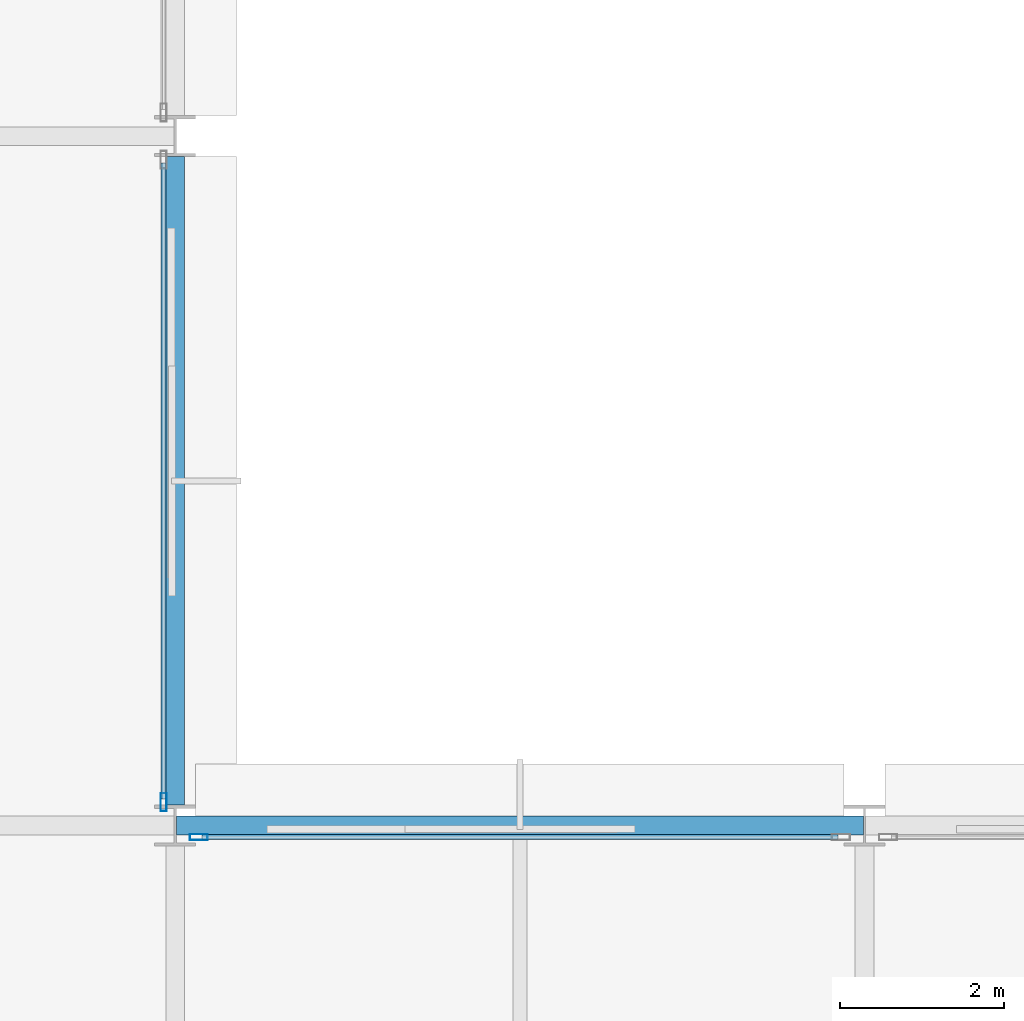
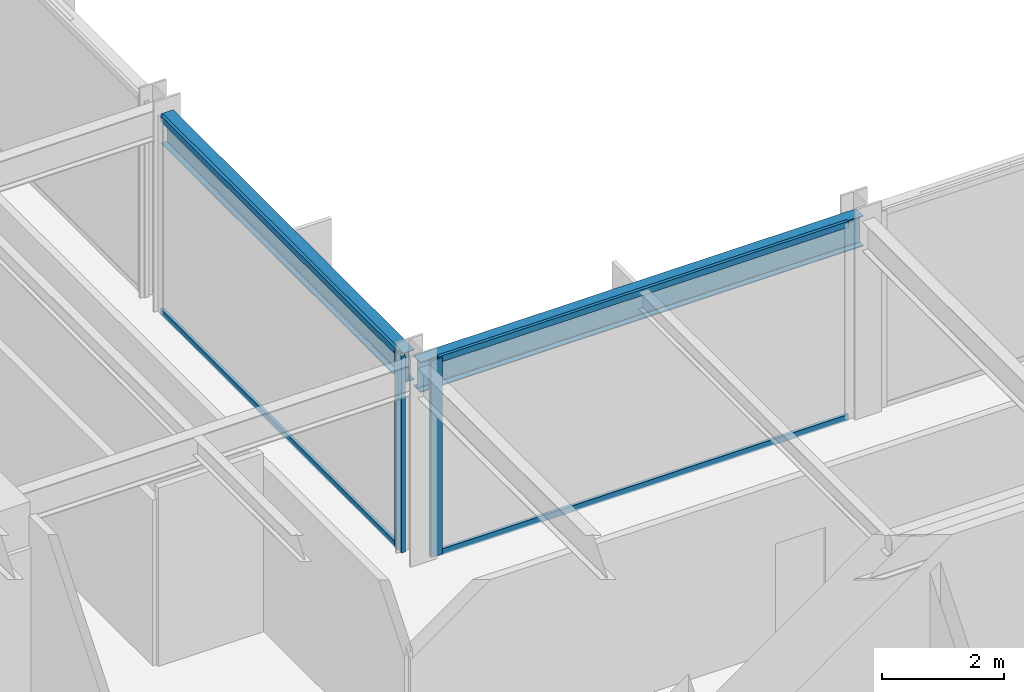
# One storey, part 10 of 30: 6 members, 2 beams, 2 elements without a shape of their own.
"""IFC4 building model written with IfcOpenShell, lengths in metres."""

import ifcopenshell
import ifcopenshell.guid

model = None  # the IFC model being written
_history = None  # IfcOwnerHistory: only IFC2X3 demands one
_inside = {}  # id of a spatial element -> (the spatial element, [elements in it])
_under = {}  # id of a project, library or spatial element -> (it, [spatial elements below it])
_declared = {}  # id of a project -> (the project, [libraries it declares])
_typed = {}  # id of a type object -> (the type object, [elements of that type])
_made_of = {}  # id of a material, layer set ... -> (it, [elements and type objects made of it])


def new_model(schema):
    """Start an empty IFC model of exactly this schema.

    Asked for "IFC4X3", IfcOpenShell would pick the latest addendum, in which some entities
    have other attributes; the version numbers below select the first issue.
    IFC2X3 requires an IfcOwnerHistory on every rooted entity: one is made here for all.
    """
    global model, _history
    if schema == "IFC4X3":
        model = ifcopenshell.file(schema_version=(4, 3, 0, 0))
    else:
        model = ifcopenshell.file(schema=schema)
    _inside.clear()
    _under.clear()
    _declared.clear()
    _typed.clear()
    _made_of.clear()
    _history = None
    if model.schema == "IFC2X3":
        org = make("IfcOrganization", Name="unknown")
        user = make(
            "IfcPersonAndOrganization",
            ThePerson=make("IfcPerson", FamilyName="unknown"),
            TheOrganization=org,
        )
        app = make(
            "IfcApplication",
            ApplicationDeveloper=org,
            Version="unknown",
            ApplicationFullName="unknown",
            ApplicationIdentifier="unknown",
        )
        _history = make(
            "IfcOwnerHistory",
            OwningUser=user,
            OwningApplication=app,
            ChangeAction="ADDED",
            CreationDate=0,
        )
    return model


def make(cls, **values):
    """One entity of the class cls with the attributes given. An attribute that is None is left unset."""
    return model.create_entity(
        cls, **{name: value for name, value in values.items() if value is not None}
    )


def rooted(cls, **values):
    """An entity with a GlobalId (a new one), such as an element, a storey or a relation."""
    return make(cls, GlobalId=ifcopenshell.guid.new(), OwnerHistory=_history, **values)


def si_unit(unit_type, name, prefix=None):
    """IfcSIUnit, for example si_unit("LENGTHUNIT", "METRE", prefix="MILLI")."""
    return make("IfcSIUnit", UnitType=unit_type, Prefix=prefix, Name=name)


def assignment(units):
    """IfcUnitAssignment: the units of a project."""
    return None if units is None else make("IfcUnitAssignment", Units=units)


def point(xyz):
    """IfcCartesianPoint."""
    return None if xyz is None else make("IfcCartesianPoint", Coordinates=xyz)


def direction(xyz):
    """IfcDirection."""
    return None if xyz is None else make("IfcDirection", DirectionRatios=xyz)


def frame(location, z_axis=None, x_axis=None):
    """IfcAxis2Placement3D, a coordinate frame: its origin and axes. An axis left out is left unset."""
    return make(
        "IfcAxis2Placement3D",
        Location=point(location),
        Axis=direction(z_axis),
        RefDirection=direction(x_axis),
    )


def frame_2d(location, x_axis=None):
    """IfcAxis2Placement2D, a coordinate frame in the plane: its origin and x axis."""
    return make(
        "IfcAxis2Placement2D", Location=point(location), RefDirection=direction(x_axis)
    )


def origin():
    """The frame at (0, 0, 0) with its axes left unset."""
    return frame((0.0, 0.0, 0.0))


def origin_2d():
    """The frame at (0, 0) in the plane with its x axis left unset."""
    return frame_2d((0.0, 0.0))


def place(relative_to, where):
    """IfcLocalPlacement: puts the frame where relative to a parent placement (None: the world)."""
    return make(
        "IfcLocalPlacement", PlacementRelTo=relative_to, RelativePlacement=where
    )


def context(
    kind, dimensions, precision=None, world=None, true_north=None, identifier=None
):
    """IfcGeometricRepresentationContext, for example the 3D "Model" context."""
    return make(
        "IfcGeometricRepresentationContext",
        ContextIdentifier=identifier,
        ContextType=kind,
        CoordinateSpaceDimension=dimensions,
        Precision=precision,
        WorldCoordinateSystem=world,
        TrueNorth=true_north,
    )


def subcontext(parent, identifier, kind, view, scale=None):
    """IfcGeometricRepresentationSubContext, for example "Body" below "Model"."""
    return make(
        "IfcGeometricRepresentationSubContext",
        ContextIdentifier=identifier,
        ContextType=kind,
        ParentContext=parent,
        TargetScale=scale,
        TargetView=view,
    )


def project(units=None, contexts=None):
    """IfcProject with its units and contexts."""
    return rooted(
        "IfcProject",
        Name="project",
        RepresentationContexts=contexts,
        UnitsInContext=assignment(units),
    )


def spatial(cls, under=None, at=None, **own):
    """A site, building, storey or space (cls), placed at a placement, below another one or the project."""
    s = rooted(cls, ObjectPlacement=at, **own)
    if under is not None:
        _under.setdefault(under.id(), (under, []))[1].append(s)
    return s


def profile(cls, at=None, kind="AREA", **sizes):
    """A parametric profile (cls). Its sizes go by their IFC names, for example OverallWidth=200.0."""
    return make(cls, ProfileType=kind, Position=at, **sizes)


def hollow_rectangle(**sizes):
    """IfcRectangleHollowProfileDef."""
    return profile("IfcRectangleHollowProfileDef", **sizes)


def i_section(**sizes):
    """IfcIShapeProfileDef."""
    return profile("IfcIShapeProfileDef", **sizes)


def extrude(swept, where, along, depth):
    """IfcExtrudedAreaSolid: the profile swept, set in the frame where, extruded along a direction by depth."""
    return make(
        "IfcExtrudedAreaSolid",
        SweptArea=swept,
        Position=where,
        ExtrudedDirection=direction(along),
        Depth=depth,
    )


def shape(context_of_items, identifier, shape_type, items):
    """IfcShapeRepresentation: the items that make up one representation, for example the "Body"."""
    return make(
        "IfcShapeRepresentation",
        ContextOfItems=context_of_items,
        RepresentationIdentifier=identifier,
        RepresentationType=shape_type,
        Items=items,
    )


def material(Name=None, Category=None):
    """IfcMaterial."""
    return make("IfcMaterial", Name=Name, Category=Category)


def layer(
    of_material, thickness, ventilated=None, Name=None, Category=None, Priority=None
):
    """IfcMaterialLayer: one layer of a wall or slab, of a material (None: an air gap)."""
    return make(
        "IfcMaterialLayer",
        Material=of_material,
        LayerThickness=thickness,
        IsVentilated=ventilated,
        Name=Name,
        Category=Category,
        Priority=Priority,
    )


def layer_set(layers, Name=None):
    """IfcMaterialLayerSet."""
    return make("IfcMaterialLayerSet", MaterialLayers=layers, LayerSetName=Name)


def material_profile(
    of_material, cross_section, Name=None, Category=None, Priority=None
):
    """IfcMaterialProfile: a cross section and its material."""
    return make(
        "IfcMaterialProfile",
        Name=Name,
        Material=of_material,
        Profile=cross_section,
        Priority=Priority,
        Category=Category,
    )


def profile_set(profiles, Name=None, composite=None):
    """IfcMaterialProfileSet."""
    return make(
        "IfcMaterialProfileSet",
        Name=Name,
        MaterialProfiles=profiles,
        CompositeProfile=composite,
    )


def made_of(thing, what):
    """Note that an element or type object is made of a material, layer set ...; save() writes the relation."""
    if what is not None:
        _made_of.setdefault(what.id(), (what, []))[1].append(thing)
    return thing


def type_object(cls, material=None, **own):
    """A type object (cls), such as IfcWallType, which elements share."""
    return made_of(rooted(cls, **own), material)


def element(
    cls,
    number,
    at=None,
    inside=None,
    cuts=None,
    type_object=None,
    material=None,
    context=None,
    identifier="Body",
    shape_type=None,
    held_by="IfcProductDefinitionShape",
    body=None,
    shapes=None,
    **own,
):
    """One element of the class cls, such as IfcWall. Its Tag is "e" and its number.

    at: its placement. inside: the storey or other place that contains it. cuts: it is an
    opening in that element (IfcRelVoidsElement). A single representation is given by context,
    identifier, shape_type and body (its items); several are given by shapes. held_by: the class
    of the entity that holds the representations. save() writes the other relations.
    """
    e = rooted(cls, Tag="e%d" % number, ObjectPlacement=at, **own)
    if body is not None:
        shapes = [shape(context, identifier, shape_type, body)]
    if shapes is not None:
        e.Representation = make(held_by, Representations=shapes)
    if inside is not None:
        _inside.setdefault(inside.id(), (inside, []))[1].append(e)
    if cuts is not None:
        rooted(
            "IfcRelVoidsElement", RelatingBuildingElement=cuts, RelatedOpeningElement=e
        )
    if type_object is not None:
        _typed.setdefault(type_object.id(), (type_object, []))[1].append(e)
    return made_of(e, material)


def aggregate(whole, parts):
    """IfcRelAggregates: a whole, such as a stair, and the parts it consists of."""
    return rooted("IfcRelAggregates", RelatingObject=whole, RelatedObjects=parts)


def save(model, path):
    """Write the relations noted so far, then the file.

    IfcRelAggregates (storeys below a building ...), IfcRelContainedInSpatialStructure (elements
    in a storey), IfcRelDefinesByType, IfcRelAssociatesMaterial and IfcRelDeclares: one each for
    every whole, place, type object, material and project.
    """
    for whole, parts in _under.values():
        aggregate(whole, parts)
    for where, things in _inside.values():
        rooted(
            "IfcRelContainedInSpatialStructure",
            RelatedElements=things,
            RelatingStructure=where,
        )
    for kind, things in _typed.values():
        rooted("IfcRelDefinesByType", RelatedObjects=things, RelatingType=kind)
    for what, things in _made_of.values():
        rooted("IfcRelAssociatesMaterial", RelatedObjects=things, RelatingMaterial=what)
    for by, libraries in _declared.values():
        rooted("IfcRelDeclares", RelatingContext=by, RelatedDefinitions=libraries)
    model.write(path)


model = new_model("IFC4")

# Units and contexts
model_context = context("Model", 3, precision=1e-05, world=origin(), true_north=direction((0.0, 1.0)))
body_context = subcontext(model_context, "Body", "Model", "MODEL_VIEW")
ifc_project = project(units=[si_unit("LENGTHUNIT", "METRE"), si_unit("AREAUNIT", "SQUARE_METRE"), si_unit("VOLUMEUNIT", "CUBIC_METRE"), si_unit("PLANEANGLEUNIT", "RADIAN"), si_unit("MASSUNIT", "GRAM", prefix="KILO")], contexts=[model_context])

# Site, building, storey
site_placement = place(None, origin())
site = spatial("IfcSite", under=ifc_project, at=site_placement, CompositionType="ELEMENT")
building_placement = place(site_placement, origin())
building = spatial("IfcBuilding", under=site, at=building_placement, Name="Nerrivon Quay Data Exchange", CompositionType="ELEMENT")
storey_placement = place(building_placement, frame((0.0, 0.0, 62.60009765625)))
storey = spatial("IfcBuildingStorey", under=building, at=storey_placement, Name="L14", CompositionType="ELEMENT", Elevation=62.60009765625)

# Beams
ifc_material_1 = material(Name="Steel Grade 350", Category="steel")
ifc_material_profile_1 = material_profile(ifc_material_1, i_section(OverallWidth=0.22900390625, OverallDepth=0.612060546875, WebThickness=0.011962890625, FlangeThickness=0.01953125, FilletRadius=0.013916015625, at=origin_2d()), Name="610UB125")
ifc_profile_set_1 = profile_set([ifc_material_profile_1], Name="Steel Grade 350")
beam_type_1 = type_object("IfcBeamType", Name="BM-G1-610UB125", PredefinedType="BEAM", material=ifc_profile_set_1)
beam_1_placement = place(storey_placement, frame((25.214111328125, 25.199951171875, 3.618896484375), z_axis=(1.0, 0.0, 0.0), x_axis=(0.0, 1.0, 0.0)))
element("IfcBeam", 1, at=beam_1_placement, inside=storey, type_object=beam_type_1, Name="L14 EW Girder Y=25.2 (25.2..33.6)", PredefinedType="BEAM", context=body_context, shape_type="SweptSolid", body=[
    extrude(i_section(OverallWidth=0.22900390625, OverallDepth=0.612060546875, WebThickness=0.011962890625, FlangeThickness=0.01953125, FilletRadius=0.013916015625, at=origin_2d()), origin(), (0.0, 0.0, 1.0), 8.371826171875),
])
ifc_material_profile_2 = material_profile(ifc_material_1, i_section(OverallWidth=0.22802734375, OverallDepth=0.60205078125, WebThickness=0.010498046875, FlangeThickness=0.014892578125, FilletRadius=0.013916015625, at=origin_2d()), Name="610UB101")
ifc_profile_set_2 = profile_set([ifc_material_profile_2], Name="Steel Grade 350")
beam_type_2 = type_object("IfcBeamType", Name="BM-G2-610UB101", PredefinedType="BEAM", material=ifc_profile_set_2)
beam_2_placement = place(storey_placement, frame((25.199951171875, 25.449951171875, 3.6240234375), z_axis=(0.0, 1.0, 0.0), x_axis=(-1.0, 0.0, 0.0)))
element("IfcBeam", 2, at=beam_2_placement, inside=storey, type_object=beam_type_2, Name="L14 NS Girder X=25.2 (25.2..33.6)", PredefinedType="BEAM", context=body_context, shape_type="SweptSolid", body=[
    extrude(i_section(OverallWidth=0.22802734375, OverallDepth=0.60205078125, WebThickness=0.010498046875, FlangeThickness=0.014892578125, FilletRadius=0.013916015625, at=origin_2d()), origin(), (0.0, 0.0, 1.0), 7.900146484375),
])

# Curtain wall, member
ifc_material_2 = material(Name="Anodised aluminium 6063-T6", Category="aluminium")
ifc_layer = layer(ifc_material_2, 0.219970703125)
ifc_layer_set = layer_set([ifc_layer], Name="Anodised aluminium 6063-T6")
curtain_wall_type = type_object("IfcCurtainWallType", Name="CW-SYS-01", PredefinedType="NOTDEFINED", material=ifc_layer_set)
curtain_wall_1_placement = place(storey_placement, origin())
curtain_wall_1 = element("IfcCurtainWall", 3, at=curtain_wall_1_placement, inside=storey, type_object=curtain_wall_type, Name="L14 Unitised Curtain Wall 31", PredefinedType="NOTDEFINED")
ifc_material_profile_3 = material_profile(ifc_material_2, hollow_rectangle(XDim=0.074951171875, YDim=0.219970703125, WallThickness=0.00390625, at=origin_2d()), Name="ALU-MULL-220x75")
ifc_profile_set_3 = profile_set([ifc_material_profile_3], Name="Anodised aluminium 6063-T6")
member_type_1 = type_object("IfcMemberType", Name="CWM-220x75", PredefinedType="MULLION", material=ifc_profile_set_3)
member_1_placement = place(storey_placement, frame((25.06005859375, 25.487548828125, 0.0), z_axis=(0.0, 0.0, 1.0), x_axis=(1.0, 0.0, 0.0)))
member_1 = element("IfcMember", 4, at=member_1_placement, type_object=member_type_1, Name="CW01 mullion 2", PredefinedType="MULLION", context=body_context, shape_type="SweptSolid", body=[
    extrude(hollow_rectangle(XDim=0.074951171875, YDim=0.219970703125, WallThickness=0.00390625, at=origin_2d()), origin(), (0.0, 0.0, 1.0), 3.9248046875),
])

curtain_wall_2_placement = place(storey_placement, origin())
curtain_wall_2 = element("IfcCurtainWall", 5, at=curtain_wall_2_placement, inside=storey, type_object=curtain_wall_type, Name="L14 Unitised Curtain Wall 32", PredefinedType="NOTDEFINED")
member_2_placement = place(storey_placement, frame((25.487548828125, 25.06005859375, 0.0), z_axis=(0.0, 0.0, 1.0), x_axis=(0.0, 1.0, 0.0)))
member_2 = element("IfcMember", 6, at=member_2_placement, type_object=member_type_1, Name="CW01 mullion 1", PredefinedType="MULLION", context=body_context, shape_type="SweptSolid", body=[
    extrude(hollow_rectangle(XDim=0.074951171875, YDim=0.219970703125, WallThickness=0.00390625, at=origin_2d()), origin(), (0.0, 0.0, 1.0), 3.9248046875),
])

# Member
ifc_material_profile_4 = material_profile(ifc_material_2, hollow_rectangle(XDim=0.06005859375, YDim=0.1201171875, WallThickness=0.003173828125, at=origin_2d()), Name="ALU-TRAN-120x60")
ifc_profile_set_4 = profile_set([ifc_material_profile_4], Name="Anodised aluminium 6063-T6")
member_type_2 = type_object("IfcMemberType", Name="CWT-120x60", PredefinedType="USERDEFINED", material=ifc_profile_set_4)
member_3_placement = place(storey_placement, frame((25.06005859375, 33.27490234375, 0.032470703125), z_axis=(0.0, -1.0, 0.0), x_axis=(1.0, 0.0, 0.0)))
member_3 = element("IfcMember", 7, at=member_3_placement, type_object=member_type_2, Name="CW01 transom 1.1", ObjectType="TRANSOM", PredefinedType="USERDEFINED", context=body_context, shape_type="SweptSolid", body=[
    extrude(hollow_rectangle(XDim=0.06005859375, YDim=0.1201171875, WallThickness=0.003173828125, at=origin_2d()), origin(), (0.0, 0.0, 1.0), 7.75),
])

member_4_placement = place(storey_placement, frame((25.06005859375, 33.27490234375, 3.892333984375), z_axis=(0.0, -1.0, 0.0), x_axis=(1.0, 0.0, 0.0)))
member_4 = element("IfcMember", 8, at=member_4_placement, type_object=member_type_2, Name="CW01 transom 1.2", ObjectType="TRANSOM", PredefinedType="USERDEFINED", context=body_context, shape_type="SweptSolid", body=[
    extrude(hollow_rectangle(XDim=0.06005859375, YDim=0.1201171875, WallThickness=0.003173828125, at=origin_2d()), origin(), (0.0, 0.0, 1.0), 7.75),
])

aggregate(curtain_wall_1, [member_1, member_3, member_4])

member_5_placement = place(storey_placement, frame((25.52490234375, 25.06005859375, 0.032470703125), z_axis=(1.0, 0.0, 0.0), x_axis=(0.0, 1.0, 0.0)))
member_5 = element("IfcMember", 9, at=member_5_placement, type_object=member_type_2, Name="CW01 transom 1.1", ObjectType="TRANSOM", PredefinedType="USERDEFINED", context=body_context, shape_type="SweptSolid", body=[
    extrude(hollow_rectangle(XDim=0.06005859375, YDim=0.1201171875, WallThickness=0.003173828125, at=origin_2d()), origin(), (0.0, 0.0, 1.0), 7.75),
])

member_6_placement = place(storey_placement, frame((25.52490234375, 25.06005859375, 3.892333984375), z_axis=(1.0, 0.0, 0.0), x_axis=(0.0, 1.0, 0.0)))
member_6 = element("IfcMember", 10, at=member_6_placement, type_object=member_type_2, Name="CW01 transom 1.2", ObjectType="TRANSOM", PredefinedType="USERDEFINED", context=body_context, shape_type="SweptSolid", body=[
    extrude(hollow_rectangle(XDim=0.06005859375, YDim=0.1201171875, WallThickness=0.003173828125, at=origin_2d()), origin(), (0.0, 0.0, 1.0), 7.75),
])

aggregate(curtain_wall_2, [member_2, member_5, member_6])

save(model, "model.ifc")
